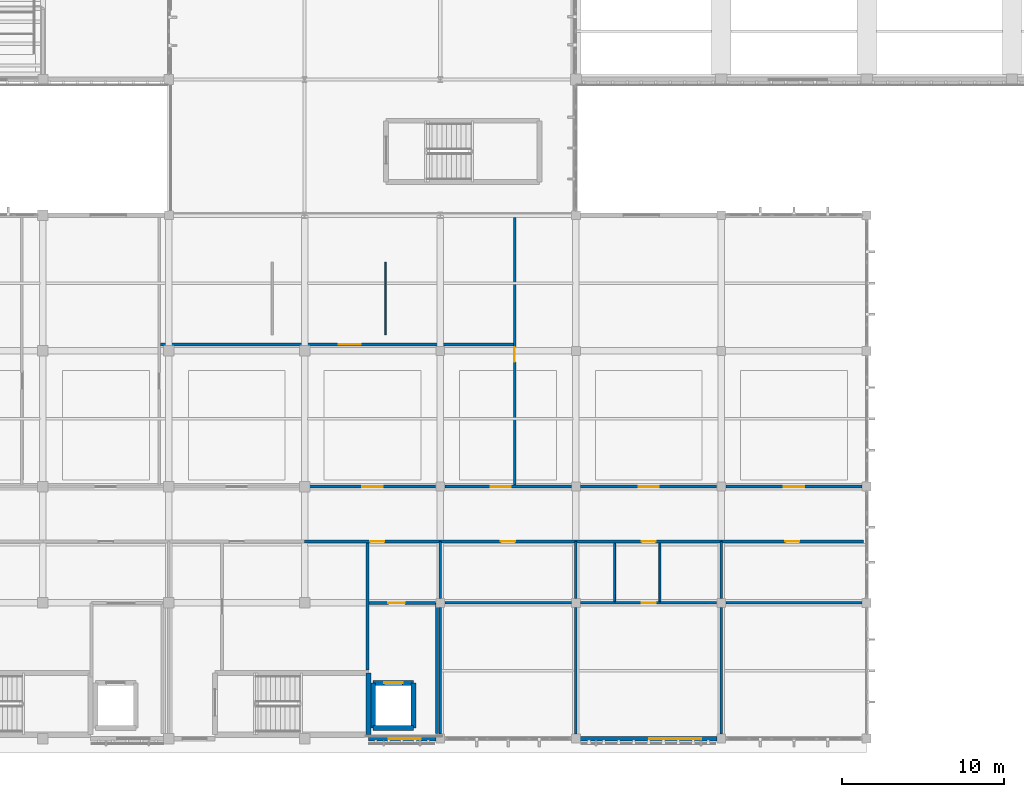
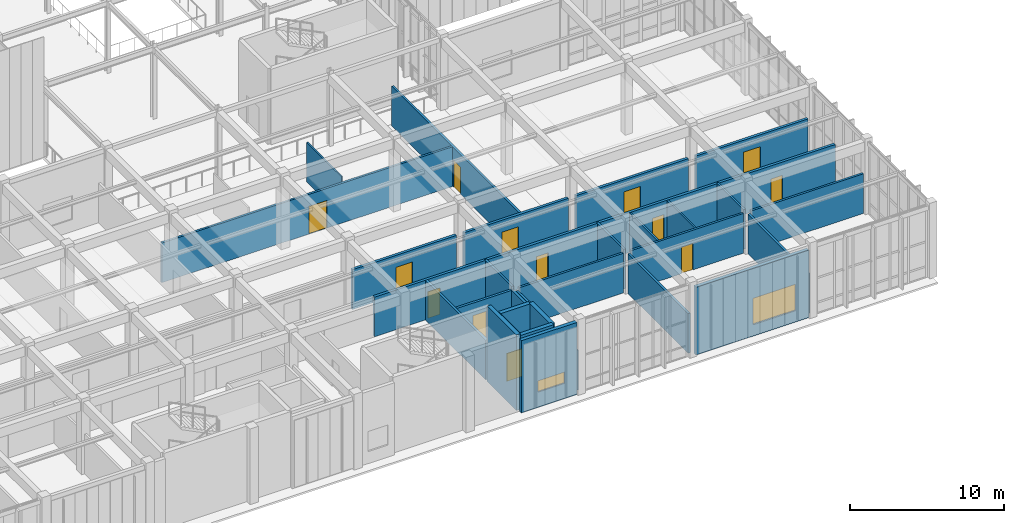
# One storey, part 73 of 105: 32 walls, 13 doors, 2 windows, 15 openings.
"""IFC4 building model written with IfcOpenShell, lengths in metres."""

import ifcopenshell
import ifcopenshell.guid

model = None  # the IFC model being written
_history = None  # IfcOwnerHistory: only IFC2X3 demands one
_inside = {}  # id of a spatial element -> (the spatial element, [elements in it])
_under = {}  # id of a project, library or spatial element -> (it, [spatial elements below it])
_declared = {}  # id of a project -> (the project, [libraries it declares])
_typed = {}  # id of a type object -> (the type object, [elements of that type])
_made_of = {}  # id of a material, layer set ... -> (it, [elements and type objects made of it])


def new_model(schema):
    """Start an empty IFC model of exactly this schema.

    Asked for "IFC4X3", IfcOpenShell would pick the latest addendum, in which some entities
    have other attributes; the version numbers below select the first issue.
    IFC2X3 requires an IfcOwnerHistory on every rooted entity: one is made here for all.
    """
    global model, _history
    if schema == "IFC4X3":
        model = ifcopenshell.file(schema_version=(4, 3, 0, 0))
    else:
        model = ifcopenshell.file(schema=schema)
    _inside.clear()
    _under.clear()
    _declared.clear()
    _typed.clear()
    _made_of.clear()
    _history = None
    if model.schema == "IFC2X3":
        org = make("IfcOrganization", Name="unknown")
        user = make(
            "IfcPersonAndOrganization",
            ThePerson=make("IfcPerson", FamilyName="unknown"),
            TheOrganization=org,
        )
        app = make(
            "IfcApplication",
            ApplicationDeveloper=org,
            Version="unknown",
            ApplicationFullName="unknown",
            ApplicationIdentifier="unknown",
        )
        _history = make(
            "IfcOwnerHistory",
            OwningUser=user,
            OwningApplication=app,
            ChangeAction="ADDED",
            CreationDate=0,
        )
    return model


def make(cls, **values):
    """One entity of the class cls with the attributes given. An attribute that is None is left unset."""
    return model.create_entity(
        cls, **{name: value for name, value in values.items() if value is not None}
    )


def rooted(cls, **values):
    """An entity with a GlobalId (a new one), such as an element, a storey or a relation."""
    return make(cls, GlobalId=ifcopenshell.guid.new(), OwnerHistory=_history, **values)


def si_unit(unit_type, name, prefix=None):
    """IfcSIUnit, for example si_unit("LENGTHUNIT", "METRE", prefix="MILLI")."""
    return make("IfcSIUnit", UnitType=unit_type, Prefix=prefix, Name=name)


def assignment(units):
    """IfcUnitAssignment: the units of a project."""
    return None if units is None else make("IfcUnitAssignment", Units=units)


def point(xyz):
    """IfcCartesianPoint."""
    return None if xyz is None else make("IfcCartesianPoint", Coordinates=xyz)


def direction(xyz):
    """IfcDirection."""
    return None if xyz is None else make("IfcDirection", DirectionRatios=xyz)


def frame(location, z_axis=None, x_axis=None):
    """IfcAxis2Placement3D, a coordinate frame: its origin and axes. An axis left out is left unset."""
    return make(
        "IfcAxis2Placement3D",
        Location=point(location),
        Axis=direction(z_axis),
        RefDirection=direction(x_axis),
    )


def frame_2d(location, x_axis=None):
    """IfcAxis2Placement2D, a coordinate frame in the plane: its origin and x axis."""
    return make(
        "IfcAxis2Placement2D", Location=point(location), RefDirection=direction(x_axis)
    )


def origin():
    """The frame at (0, 0, 0) with its axes left unset."""
    return frame((0.0, 0.0, 0.0))


def place(relative_to, where):
    """IfcLocalPlacement: puts the frame where relative to a parent placement (None: the world)."""
    return make(
        "IfcLocalPlacement", PlacementRelTo=relative_to, RelativePlacement=where
    )


def context(
    kind, dimensions, precision=None, world=None, true_north=None, identifier=None
):
    """IfcGeometricRepresentationContext, for example the 3D "Model" context."""
    return make(
        "IfcGeometricRepresentationContext",
        ContextIdentifier=identifier,
        ContextType=kind,
        CoordinateSpaceDimension=dimensions,
        Precision=precision,
        WorldCoordinateSystem=world,
        TrueNorth=true_north,
    )


def subcontext(parent, identifier, kind, view, scale=None):
    """IfcGeometricRepresentationSubContext, for example "Body" below "Model"."""
    return make(
        "IfcGeometricRepresentationSubContext",
        ContextIdentifier=identifier,
        ContextType=kind,
        ParentContext=parent,
        TargetScale=scale,
        TargetView=view,
    )


def project(units=None, contexts=None):
    """IfcProject with its units and contexts."""
    return rooted(
        "IfcProject",
        Name="project",
        RepresentationContexts=contexts,
        UnitsInContext=assignment(units),
    )


def spatial(cls, under=None, at=None, **own):
    """A site, building, storey or space (cls), placed at a placement, below another one or the project."""
    s = rooted(cls, ObjectPlacement=at, **own)
    if under is not None:
        _under.setdefault(under.id(), (under, []))[1].append(s)
    return s


def profile(cls, at=None, kind="AREA", **sizes):
    """A parametric profile (cls). Its sizes go by their IFC names, for example OverallWidth=200.0."""
    return make(cls, ProfileType=kind, Position=at, **sizes)


def rectangle(**sizes):
    """IfcRectangleProfileDef."""
    return profile("IfcRectangleProfileDef", **sizes)


def extrude(swept, where, along, depth):
    """IfcExtrudedAreaSolid: the profile swept, set in the frame where, extruded along a direction by depth."""
    return make(
        "IfcExtrudedAreaSolid",
        SweptArea=swept,
        Position=where,
        ExtrudedDirection=direction(along),
        Depth=depth,
    )


def shape(context_of_items, identifier, shape_type, items):
    """IfcShapeRepresentation: the items that make up one representation, for example the "Body"."""
    return make(
        "IfcShapeRepresentation",
        ContextOfItems=context_of_items,
        RepresentationIdentifier=identifier,
        RepresentationType=shape_type,
        Items=items,
    )


def material(Name=None, Category=None):
    """IfcMaterial."""
    return make("IfcMaterial", Name=Name, Category=Category)


def layer(
    of_material, thickness, ventilated=None, Name=None, Category=None, Priority=None
):
    """IfcMaterialLayer: one layer of a wall or slab, of a material (None: an air gap)."""
    return make(
        "IfcMaterialLayer",
        Material=of_material,
        LayerThickness=thickness,
        IsVentilated=ventilated,
        Name=Name,
        Category=Category,
        Priority=Priority,
    )


def layer_set(layers, Name=None):
    """IfcMaterialLayerSet."""
    return make("IfcMaterialLayerSet", MaterialLayers=layers, LayerSetName=Name)


def made_of(thing, what):
    """Note that an element or type object is made of a material, layer set ...; save() writes the relation."""
    if what is not None:
        _made_of.setdefault(what.id(), (what, []))[1].append(thing)
    return thing


def type_object(cls, material=None, **own):
    """A type object (cls), such as IfcWallType, which elements share."""
    return made_of(rooted(cls, **own), material)


def element(
    cls,
    number,
    at=None,
    inside=None,
    cuts=None,
    type_object=None,
    material=None,
    context=None,
    identifier="Body",
    shape_type=None,
    held_by="IfcProductDefinitionShape",
    body=None,
    shapes=None,
    **own,
):
    """One element of the class cls, such as IfcWall. Its Tag is "e" and its number.

    at: its placement. inside: the storey or other place that contains it. cuts: it is an
    opening in that element (IfcRelVoidsElement). A single representation is given by context,
    identifier, shape_type and body (its items); several are given by shapes. held_by: the class
    of the entity that holds the representations. save() writes the other relations.
    """
    e = rooted(cls, Tag="e%d" % number, ObjectPlacement=at, **own)
    if body is not None:
        shapes = [shape(context, identifier, shape_type, body)]
    if shapes is not None:
        e.Representation = make(held_by, Representations=shapes)
    if inside is not None:
        _inside.setdefault(inside.id(), (inside, []))[1].append(e)
    if cuts is not None:
        rooted(
            "IfcRelVoidsElement", RelatingBuildingElement=cuts, RelatedOpeningElement=e
        )
    if type_object is not None:
        _typed.setdefault(type_object.id(), (type_object, []))[1].append(e)
    return made_of(e, material)


def fill(opening, filler):
    """IfcRelFillsElement: the door or window that sits in an opening."""
    return rooted(
        "IfcRelFillsElement",
        RelatingOpeningElement=opening,
        RelatedBuildingElement=filler,
    )


def aggregate(whole, parts):
    """IfcRelAggregates: a whole, such as a stair, and the parts it consists of."""
    return rooted("IfcRelAggregates", RelatingObject=whole, RelatedObjects=parts)


def save(model, path):
    """Write the relations noted so far, then the file.

    IfcRelAggregates (storeys below a building ...), IfcRelContainedInSpatialStructure (elements
    in a storey), IfcRelDefinesByType, IfcRelAssociatesMaterial and IfcRelDeclares: one each for
    every whole, place, type object, material and project.
    """
    for whole, parts in _under.values():
        aggregate(whole, parts)
    for where, things in _inside.values():
        rooted(
            "IfcRelContainedInSpatialStructure",
            RelatedElements=things,
            RelatingStructure=where,
        )
    for kind, things in _typed.values():
        rooted("IfcRelDefinesByType", RelatedObjects=things, RelatingType=kind)
    for what, things in _made_of.values():
        rooted("IfcRelAssociatesMaterial", RelatedObjects=things, RelatingMaterial=what)
    for by, libraries in _declared.values():
        rooted("IfcRelDeclares", RelatingContext=by, RelatedDefinitions=libraries)
    model.write(path)


model = new_model("IFC4")

# Units and contexts
model_context = context("Model", 3, precision=1e-05, world=origin(), true_north=direction((0.0, 1.0)))
body_context = subcontext(model_context, "Body", "Model", "MODEL_VIEW")
ifc_project = project(units=[si_unit("LENGTHUNIT", "METRE"), si_unit("AREAUNIT", "SQUARE_METRE"), si_unit("VOLUMEUNIT", "CUBIC_METRE"), si_unit("PLANEANGLEUNIT", "RADIAN"), si_unit("MASSUNIT", "GRAM", prefix="KILO")], contexts=[model_context])

# Site, building, storey
site_placement = place(None, origin())
site = spatial("IfcSite", under=ifc_project, at=site_placement, CompositionType="ELEMENT")
building_placement = place(site_placement, origin())
building = spatial("IfcBuilding", under=site, at=building_placement, Name="Tizgana Railside Sports Hall", CompositionType="ELEMENT")
storey_placement = place(building_placement, frame((0.0, 0.0, 6.0)))
storey = spatial("IfcBuildingStorey", under=building, at=storey_placement, Name="L01", CompositionType="ELEMENT", Elevation=6.0)

# Wall, opening, door
ifc_material_1 = material(Name="Acoustic gypsum stud")
ifc_layer_1 = layer(ifc_material_1, 0.159912109375, Name="Acoustic gypsum stud")
ifc_layer_set_1 = layer_set([ifc_layer_1], Name="Acoustic gypsum stud")
wall_type_1 = type_object("IfcWallType", Name="Clinic Acoustic Partition 160", PredefinedType="STANDARD", material=ifc_layer_set_1)
wall_1_placement = place(storey_placement, frame((76.0, 15.60009765625, 0.0), z_axis=(0.0, 0.0, 1.0), x_axis=(0.0, 1.0, 0.0)))
wall_1 = element("IfcWall", 1, at=wall_1_placement, inside=storey, type_object=wall_type_1, Name="L01 Partition PWAL-0079", PredefinedType="STANDARD", context=body_context, shape_type="SweptSolid", body=[
    extrude(rectangle(XDim=16.64990234375, YDim=0.159912109375, at=frame_2d((8.324951171875, 0.0))), origin(), (0.0, 0.0, 1.0), 3.14990234375),
])
opening_1_placement = place(wall_1_placement, frame((7.715087890625, 0.0, 0.0)))
opening_1 = element("IfcOpeningElement", 2, at=opening_1_placement, cuts=wall_1, Name="Opening D-0159", PredefinedType="OPENING", context=body_context, shape_type="SweptSolid", body=[
    extrude(rectangle(XDim=0.919921875, YDim=2.14990234375, at=frame_2d((0.4599609375, 1.074951171875))), frame((0.0, 0.08984375, 0.0), z_axis=(0.0, -1.0, 0.0), x_axis=(1.0, 0.0, 0.0)), (0.0, 0.0, 1.0), 0.179931640625),
])
ifc_material_2 = material(Name="Solid beech timber", Category="wood")
door_type_1 = type_object("IfcDoorType", Name="Consultation & Coaching Door 920x2150", OperationType="NOTDEFINED", PredefinedType="DOOR", material=ifc_material_2)
door_1_placement = place(opening_1_placement, origin())
door_1 = element("IfcDoor", 3, at=door_1_placement, inside=storey, type_object=door_type_1, Name="L01 Door D-0159", OperationType="SINGLE_SWING_LEFT", OverallHeight=2.14990234375, OverallWidth=0.919921875, PredefinedType="DOOR", context=body_context, shape_type="SweptSolid", body=[
    extrude(rectangle(XDim=0.919921875, YDim=2.14990234375, at=frame_2d((0.4599609375, 1.074951171875))), frame((0.0, 0.02490234375, 0.0), z_axis=(0.0, -1.0, 0.0), x_axis=(1.0, 0.0, 0.0)), (0.0, 0.0, 1.0), 0.050048828125),
])
fill(opening_1, door_1)

# Walls
wall_2_placement = place(storey_placement, frame((71.39990234375, 0.284912109375, 0.0), z_axis=(0.0, 0.0, 1.0), x_axis=(0.0, 1.0, 0.0)))
element("IfcWall", 4, at=wall_2_placement, inside=storey, type_object=wall_type_1, Name="L01 Partition PWAL-0088", PredefinedType="STANDARD", context=body_context, shape_type="SweptSolid", body=[
    extrude(rectangle(XDim=7.830078125, YDim=0.159912109375, at=frame_2d((3.9150390625, 0.0))), origin(), (0.0, 0.0, 1.0), 3.14990234375),
])
wall_3_placement = place(storey_placement, frame((71.39990234375, 8.68505859375, 0.0), z_axis=(0.0, 0.0, 1.0), x_axis=(0.0, 1.0, 0.0)))
element("IfcWall", 5, at=wall_3_placement, inside=storey, type_object=wall_type_1, Name="L01 Partition PWAL-0089", PredefinedType="STANDARD", context=body_context, shape_type="SweptSolid", body=[
    extrude(rectangle(XDim=3.514892578125, YDim=0.159912109375, at=frame_2d((1.75732421875, 0.0))), origin(), (0.0, 0.0, 1.0), 3.14990234375),
])
wall_4_placement = place(storey_placement, frame((79.800048828125, 0.284912109375, 0.0), z_axis=(0.0, 0.0, 1.0), x_axis=(0.0, 1.0, 0.0)))
element("IfcWall", 6, at=wall_4_placement, inside=storey, type_object=wall_type_1, Name="L01 Partition PWAL-0090", PredefinedType="STANDARD", context=body_context, shape_type="SweptSolid", body=[
    extrude(rectangle(XDim=7.830078125, YDim=0.159912109375, at=frame_2d((3.9150390625, 0.0))), origin(), (0.0, 0.0, 1.0), 3.14990234375),
])
wall_5_placement = place(storey_placement, frame((79.800048828125, 8.68505859375, 0.0), z_axis=(0.0, 0.0, 1.0), x_axis=(0.0, 1.0, 0.0)))
element("IfcWall", 7, at=wall_5_placement, inside=storey, type_object=wall_type_1, Name="L01 Partition PWAL-0091", PredefinedType="STANDARD", context=body_context, shape_type="SweptSolid", body=[
    extrude(rectangle(XDim=3.514892578125, YDim=0.159912109375, at=frame_2d((1.75732421875, 0.0))), origin(), (0.0, 0.0, 1.0), 3.14990234375),
])
wall_6_placement = place(storey_placement, frame((88.800048828125, 0.284912109375, 0.0), z_axis=(0.0, 0.0, 1.0), x_axis=(0.0, 1.0, 0.0)))
element("IfcWall", 8, at=wall_6_placement, inside=storey, type_object=wall_type_1, Name="L01 Partition PWAL-0092", PredefinedType="STANDARD", context=body_context, shape_type="SweptSolid", body=[
    extrude(rectangle(XDim=7.830078125, YDim=0.159912109375, at=frame_2d((3.9150390625, 0.0))), origin(), (0.0, 0.0, 1.0), 3.14990234375),
])
wall_7_placement = place(storey_placement, frame((88.800048828125, 8.68505859375, 0.0), z_axis=(0.0, 0.0, 1.0), x_axis=(0.0, 1.0, 0.0)))
element("IfcWall", 9, at=wall_7_placement, inside=storey, type_object=wall_type_1, Name="L01 Partition PWAL-0093", PredefinedType="STANDARD", context=body_context, shape_type="SweptSolid", body=[
    extrude(rectangle(XDim=3.514892578125, YDim=0.159912109375, at=frame_2d((1.75732421875, 0.0))), origin(), (0.0, 0.0, 1.0), 3.14990234375),
])
wall_8_placement = place(storey_placement, frame((71.68505859375, 8.39990234375, 0.0), z_axis=(0.0, 0.0, 1.0), x_axis=(1.0, 0.0, 0.0)))
element("IfcWall", 10, at=wall_8_placement, inside=storey, type_object=wall_type_1, Name="L01 Partition PWAL-0094", PredefinedType="STANDARD", context=body_context, shape_type="SweptSolid", body=[
    extrude(rectangle(XDim=7.829833984375, YDim=0.159912109375, at=frame_2d((3.9150390625, 0.0))), origin(), (0.0, 0.0, 1.0), 3.14990234375),
])

# Wall, opening, door
wall_9_placement = place(storey_placement, frame((80.0849609375, 8.39990234375, 0.0), z_axis=(0.0, 0.0, 1.0), x_axis=(1.0, 0.0, 0.0)))
wall_9 = element("IfcWall", 11, at=wall_9_placement, inside=storey, type_object=wall_type_1, Name="L01 Partition PWAL-0095", PredefinedType="STANDARD", context=body_context, shape_type="SweptSolid", body=[
    extrude(rectangle(XDim=8.429931640625, YDim=0.159912109375, at=frame_2d((4.21484375, 0.0))), origin(), (0.0, 0.0, 1.0), 3.14990234375),
])
opening_2_placement = place(wall_9_placement, frame((3.784912109375, 0.0, 0.0)))
opening_2 = element("IfcOpeningElement", 12, at=opening_2_placement, cuts=wall_9, Name="Opening D-0160", PredefinedType="OPENING", context=body_context, shape_type="SweptSolid", body=[
    extrude(rectangle(XDim=0.860107421875, YDim=2.10009765625, at=frame_2d((0.43017578125, 1.050048828125))), frame((0.0, 0.08984375, 0.0), z_axis=(0.0, -1.0, 0.0), x_axis=(1.0, 0.0, 0.0)), (0.0, 0.0, 1.0), 0.179931640625),
])
door_type_2 = type_object("IfcDoorType", Name="Cleaner & Store Room Door 860x2100", OperationType="NOTDEFINED", PredefinedType="DOOR", material=ifc_material_2)
door_2_placement = place(opening_2_placement, origin())
door_2 = element("IfcDoor", 13, at=door_2_placement, inside=storey, type_object=door_type_2, Name="L01 Door D-0160", OperationType="SINGLE_SWING_RIGHT", OverallHeight=2.10009765625, OverallWidth=0.860107421875, PredefinedType="DOOR", context=body_context, shape_type="SweptSolid", body=[
    extrude(rectangle(XDim=0.860107421875, YDim=2.10009765625, at=frame_2d((0.43017578125, 1.050048828125))), frame((0.0, 0.02490234375, 0.0), z_axis=(0.0, -1.0, 0.0), x_axis=(1.0, 0.0, 0.0)), (0.0, 0.0, 1.0), 0.050048828125),
])
fill(opening_2, door_2)

# Wall
wall_10_placement = place(storey_placement, frame((89.0849609375, 8.39990234375, 0.0), z_axis=(0.0, 0.0, 1.0), x_axis=(1.0, 0.0, 0.0)))
element("IfcWall", 14, at=wall_10_placement, inside=storey, type_object=wall_type_1, Name="L01 Partition PWAL-0096", PredefinedType="STANDARD", context=body_context, shape_type="SweptSolid", body=[
    extrude(rectangle(XDim=8.429931640625, YDim=0.159912109375, at=frame_2d((4.21484375, 0.0))), origin(), (0.0, 0.0, 1.0), 3.14990234375),
])

# Wall, opening, door
wall_11_placement = place(storey_placement, frame((54.0849609375, 24.39990234375, 0.0), z_axis=(0.0, 0.0, 1.0), x_axis=(1.0, 0.0, 0.0)))
wall_11 = element("IfcWall", 15, at=wall_11_placement, inside=storey, type_object=wall_type_1, Name="L01 Partition PWAL-0338", PredefinedType="STANDARD", context=body_context, shape_type="SweptSolid", body=[
    extrude(rectangle(XDim=21.9150390625, YDim=0.159912109375, at=frame_2d((10.95751953125, 0.0))), origin(), (0.0, 0.0, 1.0), 3.14990234375),
])
opening_3_placement = place(wall_11_placement, frame((11.0400390625, 0.0, 0.0)))
opening_3 = element("IfcOpeningElement", 16, at=opening_3_placement, cuts=wall_11, Name="Opening D-0303", PredefinedType="OPENING", context=body_context, shape_type="SweptSolid", body=[
    extrude(rectangle(XDim=1.35009765625, YDim=2.199951171875, at=frame_2d((0.675048828125, 1.10009765625))), frame((0.0, 0.08984375, 0.0), z_axis=(0.0, -1.0, 0.0), x_axis=(1.0, 0.0, 0.0)), (0.0, 0.0, 1.0), 0.179931640625),
])
door_type_3 = type_object("IfcDoorType", Name="Medical Imaging Door 1350x2200", OperationType="NOTDEFINED", PredefinedType="DOOR", material=ifc_material_2)
door_3_placement = place(opening_3_placement, origin())
door_3 = element("IfcDoor", 17, at=door_3_placement, inside=storey, type_object=door_type_3, Name="L01 Door D-0303", OperationType="SINGLE_SWING_LEFT", OverallHeight=2.199951171875, OverallWidth=1.35009765625, PredefinedType="DOOR", context=body_context, shape_type="SweptSolid", body=[
    extrude(rectangle(XDim=1.35009765625, YDim=2.199951171875, at=frame_2d((0.675048828125, 1.10009765625))), frame((0.0, 0.02490234375, 0.0), z_axis=(0.0, -1.0, 0.0), x_axis=(1.0, 0.0, 0.0)), (0.0, 0.0, 1.0), 0.050048828125),
])
fill(opening_3, door_3)

# Walls
ifc_material_3 = material(Name="Concrete C40/50", Category="concrete")
ifc_layer_2 = layer(ifc_material_3, 0.300048828125, Name="Concrete C40/50")
ifc_layer_set_2 = layer_set([ifc_layer_2], Name="Concrete C40/50")
wall_type_2 = type_object("IfcWallType", Name="Core Shear Wall 300", PredefinedType="SHEAR", material=ifc_layer_set_2)
wall_12_placement = place(storey_placement, frame((66.949951171875, 0.25, 0.0), z_axis=(0.0, 0.0, 1.0), x_axis=(0.0, 1.0, 0.0)))
element("IfcWall", 18, at=wall_12_placement, inside=storey, type_object=wall_type_2, Name="L01 C3 Shaft Wall E", PredefinedType="SHEAR", context=body_context, shape_type="SweptSolid", body=[
    extrude(rectangle(XDim=3.800048828125, YDim=0.300048828125, at=frame_2d((1.89990234375, 0.0))), origin(), (0.0, 0.0, 1.0), 6.0),
])
wall_13_placement = place(storey_placement, frame((67.25, 0.64990234375, 0.0), z_axis=(0.0, 0.0, 1.0), x_axis=(1.0, 0.0, 0.0)))
element("IfcWall", 19, at=wall_13_placement, inside=storey, type_object=wall_type_2, Name="L01 LP-02 Shaft Wall S", PredefinedType="SHEAR", context=body_context, shape_type="SweptSolid", body=[
    extrude(rectangle(XDim=2.5, YDim=0.300048828125, at=frame_2d((1.25, 0.0))), origin(), (0.0, 0.0, 1.0), 5.639892578125),
])

# Wall, opening, door
wall_14_placement = place(storey_placement, frame((67.25, 3.449951171875, 0.0), z_axis=(0.0, 0.0, 1.0), x_axis=(1.0, 0.0, 0.0)))
wall_14 = element("IfcWall", 20, at=wall_14_placement, inside=storey, type_object=wall_type_2, Name="L01 LP-02 Shaft Wall N", PredefinedType="SHEAR", context=body_context, shape_type="SweptSolid", body=[
    extrude(rectangle(XDim=2.5, YDim=0.300048828125, at=frame_2d((1.25, 0.0))), origin(), (0.0, 0.0, 1.0), 5.639892578125),
])
opening_4_placement = place(wall_14_placement, frame((0.675048828125, 0.0, 0.0)))
opening_4 = element("IfcOpeningElement", 21, at=opening_4_placement, cuts=wall_14, Name="Opening D-0068", PredefinedType="OPENING", context=body_context, shape_type="SweptSolid", body=[
    extrude(rectangle(XDim=1.14990234375, YDim=2.199951171875, at=frame_2d((0.574951171875, 1.10009765625))), frame((0.0, 0.159912109375, 0.0), z_axis=(0.0, -1.0, 0.0), x_axis=(1.0, 0.0, 0.0)), (0.0, 0.0, 1.0), 0.320068359375),
])
ifc_material_4 = material(Name="Brushed stainless steel", Category="steel")
door_type_4 = type_object("IfcDoorType", Name="Passenger Lift Sliding Door 1150x2200", OperationType="NOTDEFINED", PredefinedType="DOOR", material=ifc_material_4)
door_4_placement = place(opening_4_placement, origin())
door_4 = element("IfcDoor", 22, at=door_4_placement, inside=storey, type_object=door_type_4, Name="L01 Door D-0068", OperationType="DOUBLE_DOOR_SLIDING", OverallHeight=2.199951171875, OverallWidth=1.14990234375, PredefinedType="DOOR", context=body_context, shape_type="SweptSolid", body=[
    extrude(rectangle(XDim=1.14990234375, YDim=2.199951171875, at=frame_2d((0.574951171875, 1.10009765625))), frame((0.0, 0.02490234375, 0.0), z_axis=(0.0, -1.0, 0.0), x_axis=(1.0, 0.0, 0.0)), (0.0, 0.0, 1.0), 0.050048828125),
])
fill(opening_4, door_4)

# Walls
for number, where, z_axis, x_axis, name in (
    (23, (67.25, 0.64990234375, 0.0), (0.0, 0.0, 1.0), (0.0, 1.0, 0.0), "L01 LP-02 Shaft Wall W"),
    (24, (69.75, 0.64990234375, 0.0), (0.0, 0.0, 1.0), (0.0, 1.0, 0.0), "L01 LP-02 Shaft Wall E"),
):
    element("IfcWall", number, at=place(storey_placement, frame(where, z_axis=z_axis, x_axis=x_axis)), inside=storey, type_object=wall_type_2, Name=name, PredefinedType="SHEAR", context=body_context, shape_type="SweptSolid", body=[
        extrude(rectangle(XDim=2.800048828125, YDim=0.300048828125, at=frame_2d((1.39990234375, 0.0))), origin(), (0.0, 0.0, 1.0), 5.639892578125),
    ])

# Wall, opening, door
ifc_material_5 = material(Name="Masonry blockwork", Category="masonry")
ifc_layer_3 = layer(ifc_material_5, 0.199951171875, Name="Masonry blockwork")
ifc_layer_set_3 = layer_set([ifc_layer_3], Name="Masonry blockwork")
wall_type_3 = type_object("IfcWallType", Name="Corridor Compartment Partition 200", PredefinedType="STANDARD", material=ifc_layer_set_3)
wall_15_placement = place(storey_placement, frame((63.300048828125, 15.60009765625, 0.0), z_axis=(0.0, 0.0, 1.0), x_axis=(1.0, 0.0, 0.0)))
wall_15 = element("IfcWall", 25, at=wall_15_placement, inside=storey, type_object=wall_type_3, Name="L01 Partition PWAL-0067", PredefinedType="STANDARD", context=body_context, shape_type="SweptSolid", body=[
    extrude(rectangle(XDim=7.81494140625, YDim=0.199951171875, at=frame_2d((3.907470703125, 0.0))), origin(), (0.0, 0.0, 1.0), 3.14990234375),
])
opening_5_placement = place(wall_15_placement, frame((3.27490234375, 0.0, 0.0)))
opening_5 = element("IfcOpeningElement", 26, at=opening_5_placement, cuts=wall_15, Name="Opening D-0147", PredefinedType="OPENING", context=body_context, shape_type="SweptSolid", body=[
    extrude(rectangle(XDim=1.25, YDim=2.199951171875, at=frame_2d((0.625, 1.10009765625))), frame((0.0, 0.10986328125, 0.0), z_axis=(0.0, -1.0, 0.0), x_axis=(1.0, 0.0, 0.0)), (0.0, 0.0, 1.0), 0.219970703125),
])
door_type_5 = type_object("IfcDoorType", Name="Clinic Stretcher Leaf Door 1250x2200", OperationType="NOTDEFINED", PredefinedType="DOOR", material=ifc_material_2)
door_5_placement = place(opening_5_placement, origin())
door_5 = element("IfcDoor", 27, at=door_5_placement, inside=storey, type_object=door_type_5, Name="L01 Door D-0147", OperationType="SINGLE_SWING_LEFT", OverallHeight=2.199951171875, OverallWidth=1.25, PredefinedType="DOOR", context=body_context, shape_type="SweptSolid", body=[
    extrude(rectangle(XDim=1.25, YDim=2.199951171875, at=frame_2d((0.625, 1.10009765625))), frame((0.0, 0.02490234375, 0.0), z_axis=(0.0, -1.0, 0.0), x_axis=(1.0, 0.0, 0.0)), (0.0, 0.0, 1.0), 0.050048828125),
])
fill(opening_5, door_5)

wall_16_placement = place(storey_placement, frame((63.0, 12.199951171875, 0.0), z_axis=(0.0, 0.0, 1.0), x_axis=(1.0, 0.0, 0.0)))
wall_16 = element("IfcWall", 28, at=wall_16_placement, inside=storey, type_object=wall_type_3, Name="L01 Partition PWAL-0068", PredefinedType="STANDARD", context=body_context, shape_type="SweptSolid", body=[
    extrude(rectangle(XDim=8.39990234375, YDim=0.199951171875, at=frame_2d((4.199951171875, 0.0))), origin(), (0.0, 0.0, 1.0), 3.14990234375),
])
opening_6_placement = place(wall_16_placement, frame((4.06005859375, 0.0, 0.0)))
opening_6 = element("IfcOpeningElement", 29, at=opening_6_placement, cuts=wall_16, Name="Opening D-0148", PredefinedType="OPENING", context=body_context, shape_type="SweptSolid", body=[
    extrude(rectangle(XDim=0.8798828125, YDim=2.10009765625, at=frame_2d((0.43994140625, 1.050048828125))), frame((0.0, 0.10986328125, 0.0), z_axis=(0.0, -1.0, 0.0), x_axis=(1.0, 0.0, 0.0)), (0.0, 0.0, 1.0), 0.219970703125),
])
door_type_6 = type_object("IfcDoorType", Name="Public & Staff WC Door 880x2100", OperationType="NOTDEFINED", PredefinedType="DOOR", material=ifc_material_2)
door_6_placement = place(opening_6_placement, origin())
door_6 = element("IfcDoor", 30, at=door_6_placement, inside=storey, type_object=door_type_6, Name="L01 Door D-0148", OperationType="SINGLE_SWING_RIGHT", OverallHeight=2.10009765625, OverallWidth=0.8798828125, PredefinedType="DOOR", context=body_context, shape_type="SweptSolid", body=[
    extrude(rectangle(XDim=0.8798828125, YDim=2.10009765625, at=frame_2d((0.43994140625, 1.050048828125))), frame((0.0, 0.02490234375, 0.0), z_axis=(0.0, -1.0, 0.0), x_axis=(1.0, 0.0, 0.0)), (0.0, 0.0, 1.0), 0.050048828125),
])
fill(opening_6, door_6)

wall_17_placement = place(storey_placement, frame((71.68505859375, 15.60009765625, 0.0), z_axis=(0.0, 0.0, 1.0), x_axis=(1.0, 0.0, 0.0)))
wall_17 = element("IfcWall", 31, at=wall_17_placement, inside=storey, type_object=wall_type_3, Name="L01 Partition PWAL-0069", PredefinedType="STANDARD", context=body_context, shape_type="SweptSolid", body=[
    extrude(rectangle(XDim=7.829833984375, YDim=0.199951171875, at=frame_2d((3.9150390625, 0.0))), origin(), (0.0, 0.0, 1.0), 3.14990234375),
])
opening_7_placement = place(wall_17_placement, frame((2.840087890625, 0.0, 0.0)))
opening_7 = element("IfcOpeningElement", 32, at=opening_7_placement, cuts=wall_17, Name="Opening D-0149", PredefinedType="OPENING", context=body_context, shape_type="SweptSolid", body=[
    extrude(rectangle(XDim=1.25, YDim=2.199951171875, at=frame_2d((0.625, 1.10009765625))), frame((0.0, 0.10986328125, 0.0), z_axis=(0.0, -1.0, 0.0), x_axis=(1.0, 0.0, 0.0)), (0.0, 0.0, 1.0), 0.219970703125),
])
door_7_placement = place(opening_7_placement, origin())
door_7 = element("IfcDoor", 33, at=door_7_placement, inside=storey, type_object=door_type_5, Name="L01 Door D-0149", OperationType="SINGLE_SWING_LEFT", OverallHeight=2.199951171875, OverallWidth=1.25, PredefinedType="DOOR", context=body_context, shape_type="SweptSolid", body=[
    extrude(rectangle(XDim=1.25, YDim=2.199951171875, at=frame_2d((0.625, 1.10009765625))), frame((0.0, 0.02490234375, 0.0), z_axis=(0.0, -1.0, 0.0), x_axis=(1.0, 0.0, 0.0)), (0.0, 0.0, 1.0), 0.050048828125),
])
fill(opening_7, door_7)

wall_18_placement = place(storey_placement, frame((71.39990234375, 12.199951171875, 0.0), z_axis=(0.0, 0.0, 1.0), x_axis=(1.0, 0.0, 0.0)))
wall_18 = element("IfcWall", 34, at=wall_18_placement, inside=storey, type_object=wall_type_3, Name="L01 Partition PWAL-0070", PredefinedType="STANDARD", context=body_context, shape_type="SweptSolid", body=[
    extrude(rectangle(XDim=8.400146484375, YDim=0.199951171875, at=frame_2d((4.2001953125, 0.0))), origin(), (0.0, 0.0, 1.0), 3.14990234375),
])
opening_8_placement = place(wall_18_placement, frame((3.760009765625, 0.0, 0.0)))
opening_8 = element("IfcOpeningElement", 35, at=opening_8_placement, cuts=wall_18, Name="Opening D-0150", PredefinedType="OPENING", context=body_context, shape_type="SweptSolid", body=[
    extrude(rectangle(XDim=0.8798828125, YDim=2.10009765625, at=frame_2d((0.43994140625, 1.050048828125))), frame((0.0, 0.10986328125, 0.0), z_axis=(0.0, -1.0, 0.0), x_axis=(1.0, 0.0, 0.0)), (0.0, 0.0, 1.0), 0.219970703125),
])
door_8_placement = place(opening_8_placement, origin())
door_8 = element("IfcDoor", 36, at=door_8_placement, inside=storey, type_object=door_type_6, Name="L01 Door D-0150", OperationType="SINGLE_SWING_RIGHT", OverallHeight=2.10009765625, OverallWidth=0.8798828125, PredefinedType="DOOR", context=body_context, shape_type="SweptSolid", body=[
    extrude(rectangle(XDim=0.8798828125, YDim=2.10009765625, at=frame_2d((0.43994140625, 1.050048828125))), frame((0.0, 0.02490234375, 0.0), z_axis=(0.0, -1.0, 0.0), x_axis=(1.0, 0.0, 0.0)), (0.0, 0.0, 1.0), 0.050048828125),
])
fill(opening_8, door_8)

wall_19_placement = place(storey_placement, frame((80.0849609375, 15.60009765625, 0.0), z_axis=(0.0, 0.0, 1.0), x_axis=(1.0, 0.0, 0.0)))
wall_19 = element("IfcWall", 37, at=wall_19_placement, inside=storey, type_object=wall_type_3, Name="L01 Partition PWAL-0071", PredefinedType="STANDARD", context=body_context, shape_type="SweptSolid", body=[
    extrude(rectangle(XDim=8.429931640625, YDim=0.199951171875, at=frame_2d((4.21484375, 0.0))), origin(), (0.0, 0.0, 1.0), 3.14990234375),
])
opening_9_placement = place(wall_19_placement, frame((3.590087890625, 0.0, 0.0)))
opening_9 = element("IfcOpeningElement", 38, at=opening_9_placement, cuts=wall_19, Name="Opening D-0151", PredefinedType="OPENING", context=body_context, shape_type="SweptSolid", body=[
    extrude(rectangle(XDim=1.25, YDim=2.199951171875, at=frame_2d((0.625, 1.10009765625))), frame((0.0, 0.10986328125, 0.0), z_axis=(0.0, -1.0, 0.0), x_axis=(1.0, 0.0, 0.0)), (0.0, 0.0, 1.0), 0.219970703125),
])
door_9_placement = place(opening_9_placement, origin())
door_9 = element("IfcDoor", 39, at=door_9_placement, inside=storey, type_object=door_type_5, Name="L01 Door D-0151", OperationType="SINGLE_SWING_LEFT", OverallHeight=2.199951171875, OverallWidth=1.25, PredefinedType="DOOR", context=body_context, shape_type="SweptSolid", body=[
    extrude(rectangle(XDim=1.25, YDim=2.199951171875, at=frame_2d((0.625, 1.10009765625))), frame((0.0, 0.02490234375, 0.0), z_axis=(0.0, -1.0, 0.0), x_axis=(1.0, 0.0, 0.0)), (0.0, 0.0, 1.0), 0.050048828125),
])
fill(opening_9, door_9)

wall_20_placement = place(storey_placement, frame((79.800048828125, 12.199951171875, 0.0), z_axis=(0.0, 0.0, 1.0), x_axis=(1.0, 0.0, 0.0)))
wall_20 = element("IfcWall", 40, at=wall_20_placement, inside=storey, type_object=wall_type_3, Name="L01 Partition PWAL-0072", PredefinedType="STANDARD", context=body_context, shape_type="SweptSolid", body=[
    extrude(rectangle(XDim=9.0, YDim=0.199951171875, at=frame_2d((4.5, 0.0))), origin(), (0.0, 0.0, 1.0), 3.14990234375),
])
opening_10_placement = place(wall_20_placement, frame((4.06005859375, 0.0, 0.0)))
opening_10 = element("IfcOpeningElement", 41, at=opening_10_placement, cuts=wall_20, Name="Opening D-0152", PredefinedType="OPENING", context=body_context, shape_type="SweptSolid", body=[
    extrude(rectangle(XDim=0.8798828125, YDim=2.10009765625, at=frame_2d((0.43994140625, 1.050048828125))), frame((0.0, 0.10986328125, 0.0), z_axis=(0.0, -1.0, 0.0), x_axis=(1.0, 0.0, 0.0)), (0.0, 0.0, 1.0), 0.219970703125),
])
door_10_placement = place(opening_10_placement, origin())
door_10 = element("IfcDoor", 42, at=door_10_placement, inside=storey, type_object=door_type_6, Name="L01 Door D-0152", OperationType="SINGLE_SWING_RIGHT", OverallHeight=2.10009765625, OverallWidth=0.8798828125, PredefinedType="DOOR", context=body_context, shape_type="SweptSolid", body=[
    extrude(rectangle(XDim=0.8798828125, YDim=2.10009765625, at=frame_2d((0.43994140625, 1.050048828125))), frame((0.0, 0.02490234375, 0.0), z_axis=(0.0, -1.0, 0.0), x_axis=(1.0, 0.0, 0.0)), (0.0, 0.0, 1.0), 0.050048828125),
])
fill(opening_10, door_10)

wall_21_placement = place(storey_placement, frame((89.0849609375, 15.60009765625, 0.0), z_axis=(0.0, 0.0, 1.0), x_axis=(1.0, 0.0, 0.0)))
wall_21 = element("IfcWall", 43, at=wall_21_placement, inside=storey, type_object=wall_type_3, Name="L01 Partition PWAL-0073", PredefinedType="STANDARD", context=body_context, shape_type="SweptSolid", body=[
    extrude(rectangle(XDim=8.429931640625, YDim=0.199951171875, at=frame_2d((4.21484375, 0.0))), origin(), (0.0, 0.0, 1.0), 3.14990234375),
])
opening_11_placement = place(wall_21_placement, frame((3.590087890625, 0.0, 0.0)))
opening_11 = element("IfcOpeningElement", 44, at=opening_11_placement, cuts=wall_21, Name="Opening D-0153", PredefinedType="OPENING", context=body_context, shape_type="SweptSolid", body=[
    extrude(rectangle(XDim=1.25, YDim=2.199951171875, at=frame_2d((0.625, 1.10009765625))), frame((0.0, 0.10986328125, 0.0), z_axis=(0.0, -1.0, 0.0), x_axis=(1.0, 0.0, 0.0)), (0.0, 0.0, 1.0), 0.219970703125),
])
door_11_placement = place(opening_11_placement, origin())
door_11 = element("IfcDoor", 45, at=door_11_placement, inside=storey, type_object=door_type_5, Name="L01 Door D-0153", OperationType="SINGLE_SWING_LEFT", OverallHeight=2.199951171875, OverallWidth=1.25, PredefinedType="DOOR", context=body_context, shape_type="SweptSolid", body=[
    extrude(rectangle(XDim=1.25, YDim=2.199951171875, at=frame_2d((0.625, 1.10009765625))), frame((0.0, 0.02490234375, 0.0), z_axis=(0.0, -1.0, 0.0), x_axis=(1.0, 0.0, 0.0)), (0.0, 0.0, 1.0), 0.050048828125),
])
fill(opening_11, door_11)

wall_22_placement = place(storey_placement, frame((88.800048828125, 12.199951171875, 0.0), z_axis=(0.0, 0.0, 1.0), x_axis=(1.0, 0.0, 0.0)))
wall_22 = element("IfcWall", 46, at=wall_22_placement, inside=storey, type_object=wall_type_3, Name="L01 Partition PWAL-0074", PredefinedType="STANDARD", context=body_context, shape_type="SweptSolid", body=[
    extrude(rectangle(XDim=8.800048828125, YDim=0.199951171875, at=frame_2d((4.39990234375, 0.0))), origin(), (0.0, 0.0, 1.0), 3.14990234375),
])
opening_12_placement = place(wall_22_placement, frame((3.9599609375, 0.0, 0.0)))
opening_12 = element("IfcOpeningElement", 47, at=opening_12_placement, cuts=wall_22, Name="Opening D-0154", PredefinedType="OPENING", context=body_context, shape_type="SweptSolid", body=[
    extrude(rectangle(XDim=0.8798828125, YDim=2.10009765625, at=frame_2d((0.43994140625, 1.050048828125))), frame((0.0, 0.10986328125, 0.0), z_axis=(0.0, -1.0, 0.0), x_axis=(1.0, 0.0, 0.0)), (0.0, 0.0, 1.0), 0.219970703125),
])
door_12_placement = place(opening_12_placement, origin())
door_12 = element("IfcDoor", 48, at=door_12_placement, inside=storey, type_object=door_type_6, Name="L01 Door D-0154", OperationType="SINGLE_SWING_RIGHT", OverallHeight=2.10009765625, OverallWidth=0.8798828125, PredefinedType="DOOR", context=body_context, shape_type="SweptSolid", body=[
    extrude(rectangle(XDim=0.8798828125, YDim=2.10009765625, at=frame_2d((0.43994140625, 1.050048828125))), frame((0.0, 0.02490234375, 0.0), z_axis=(0.0, -1.0, 0.0), x_axis=(1.0, 0.0, 0.0)), (0.0, 0.0, 1.0), 0.050048828125),
])
fill(opening_12, door_12)

# Wall, opening, window
ifc_material_6 = material(Name="Precast concrete C40/50", Category="concrete")
ifc_layer_4 = layer(ifc_material_6, 0.27001953125, Name="Precast concrete C40/50")
ifc_layer_set_4 = layer_set([ifc_layer_4], Name="Precast concrete C40/50")
wall_type_4 = type_object("IfcWallType", Name="Exterior Studio Facade Wall 270", PredefinedType="STANDARD", material=ifc_layer_set_4)
wall_23_placement = place(storey_placement, frame((71.135009765625, 0.0, 0.0), z_axis=(0.0, 0.0, 1.0), x_axis=(-1.0, 0.0, 0.0)))
wall_23 = element("IfcWall", 49, at=wall_23_placement, inside=storey, type_object=wall_type_4, Name="L01 Exterior Wall EWAL-0089", PredefinedType="STANDARD", context=body_context, shape_type="SweptSolid", body=[
    extrude(rectangle(XDim=4.179931640625, YDim=0.27001953125, at=frame_2d((2.08984375, 0.0))), origin(), (0.0, 0.0, 1.0), 5.719970703125),
])
opening_13_placement = place(wall_23_placement, frame((0.93505859375, 0.0, 1.199951171875)))
opening_13 = element("IfcOpeningElement", 50, at=opening_13_placement, cuts=wall_23, Name="Opening W-0063", PredefinedType="OPENING", context=body_context, shape_type="SweptSolid", body=[
    extrude(rectangle(XDim=2.0, YDim=0.89990234375, at=frame_2d((1.0, 0.449951171875))), frame((0.0, 0.14501953125, 0.0), z_axis=(0.0, -1.0, 0.0), x_axis=(1.0, 0.0, 0.0)), (0.0, 0.0, 1.0), 0.2900390625),
])
ifc_material_7 = material(Name="Double low-E laminated glass", Category="glass")
window_type_1 = type_object("IfcWindowType", Name="Changing High-Level Window 2000x900", PartitioningType="SINGLE_PANEL", PredefinedType="WINDOW", material=ifc_material_7)
window_1_placement = place(opening_13_placement, origin())
window_1 = element("IfcWindow", 51, at=window_1_placement, inside=storey, type_object=window_type_1, Name="L01 Window W-0063", OverallHeight=0.89990234375, OverallWidth=2.0, PartitioningType="SINGLE_PANEL", PredefinedType="WINDOW", context=body_context, shape_type="SweptSolid", body=[
    extrude(rectangle(XDim=2.0, YDim=0.89990234375, at=frame_2d((1.0, 0.449951171875))), frame((0.0, 0.030029296875, 0.0), z_axis=(0.0, -1.0, 0.0), x_axis=(1.0, 0.0, 0.0)), (0.0, 0.0, 1.0), 0.06005859375),
])
fill(opening_13, window_1)

wall_24_placement = place(storey_placement, frame((88.534912109375, 0.0, 0.0), z_axis=(0.0, 0.0, 1.0), x_axis=(-1.0, 0.0, 0.0)))
wall_24 = element("IfcWall", 52, at=wall_24_placement, inside=storey, type_object=wall_type_4, Name="L01 Exterior Wall EWAL-0090", PredefinedType="STANDARD", context=body_context, shape_type="SweptSolid", body=[
    extrude(rectangle(XDim=8.469970703125, YDim=0.27001953125, at=frame_2d((4.23486328125, 0.0))), origin(), (0.0, 0.0, 1.0), 5.37109375),
])
opening_14_placement = place(wall_24_placement, frame((0.985107421875, 0.0, 0.89990234375)))
opening_14 = element("IfcOpeningElement", 53, at=opening_14_placement, cuts=wall_24, Name="Opening W-0064", PredefinedType="OPENING", context=body_context, shape_type="SweptSolid", body=[
    extrude(rectangle(XDim=3.199951171875, YDim=2.10009765625, at=frame_2d((1.60009765625, 1.050048828125))), frame((0.0, 0.14501953125, 0.0), z_axis=(0.0, -1.0, 0.0), x_axis=(1.0, 0.0, 0.0)), (0.0, 0.0, 1.0), 0.2900390625),
])
window_type_2 = type_object("IfcWindowType", Name="Studio Wide Window 3200x2100", PartitioningType="SINGLE_PANEL", PredefinedType="WINDOW", material=ifc_material_7)
window_2_placement = place(opening_14_placement, origin())
window_2 = element("IfcWindow", 54, at=window_2_placement, inside=storey, type_object=window_type_2, Name="L01 Window W-0064", OverallHeight=2.10009765625, OverallWidth=3.199951171875, PartitioningType="SINGLE_PANEL", PredefinedType="WINDOW", context=body_context, shape_type="SweptSolid", body=[
    extrude(rectangle(XDim=3.199951171875, YDim=2.10009765625, at=frame_2d((1.60009765625, 1.050048828125))), frame((0.0, 0.030029296875, 0.0), z_axis=(0.0, -1.0, 0.0), x_axis=(1.0, 0.0, 0.0)), (0.0, 0.0, 1.0), 0.06005859375),
])
fill(opening_14, window_2)

# Walls
ifc_layer_5 = layer(ifc_material_1, 0.10009765625, Name="Acoustic gypsum stud")
ifc_layer_set_5 = layer_set([ifc_layer_5], Name="Acoustic gypsum stud")
wall_type_5 = type_object("IfcWallType", Name="Locker Alcove Partition 100", PredefinedType="STANDARD", material=ifc_layer_set_5)
wall_25_placement = place(storey_placement, frame((68.0, 25.0, 0.0), z_axis=(0.0, 0.0, 1.0), x_axis=(0.0, 1.0, 0.0)))
element("IfcWall", 55, at=wall_25_placement, inside=storey, type_object=wall_type_5, Name="L01 Partition PWAL-0102", PredefinedType="STANDARD", context=body_context, shape_type="SweptSolid", body=[
    extrude(rectangle(XDim=4.5, YDim=0.10009765625, at=frame_2d((2.25, 0.0))), origin(), (0.0, 0.0, 1.0), 3.14990234375),
])
ifc_layer_6 = layer(ifc_material_5, 0.179931640625, Name="Masonry blockwork")
ifc_layer_set_6 = layer_set([ifc_layer_6], Name="Masonry blockwork")
wall_type_6 = type_object("IfcWallType", Name="Riser and Shaft Wall 180", PredefinedType="STANDARD", material=ifc_layer_set_6)
wall_26_placement = place(storey_placement, frame((66.89990234375, 4.25, 0.0), z_axis=(0.0, 0.0, 1.0), x_axis=(0.0, 1.0, 0.0)))
element("IfcWall", 56, at=wall_26_placement, inside=storey, type_object=wall_type_6, Name="L01 Partition PWAL-0361", PredefinedType="STANDARD", context=body_context, shape_type="SweptSolid", body=[
    extrude(rectangle(XDim=7.85009765625, YDim=0.179931640625, at=frame_2d((3.925048828125, 0.0))), origin(), (0.0, 0.0, 1.0), 3.14990234375),
])

# Wall, opening, door
wall_27_placement = place(storey_placement, frame((67.0, 8.39990234375, 0.0), z_axis=(0.0, 0.0, 1.0), x_axis=(1.0, 0.0, 0.0)))
wall_27 = element("IfcWall", 57, at=wall_27_placement, inside=storey, type_object=wall_type_6, Name="L01 Partition PWAL-0362", PredefinedType="STANDARD", context=body_context, shape_type="SweptSolid", body=[
    extrude(rectangle(XDim=4.10009765625, YDim=0.179931640625, at=frame_2d((2.050048828125, 0.0))), origin(), (0.0, 0.0, 1.0), 3.14990234375),
])
opening_15_placement = place(wall_27_placement, frame((1.18994140625, 0.0, 0.0)))
opening_15 = element("IfcOpeningElement", 58, at=opening_15_placement, cuts=wall_27, Name="Opening D-0317", PredefinedType="OPENING", context=body_context, shape_type="SweptSolid", body=[
    extrude(rectangle(XDim=1.02001953125, YDim=2.14990234375, at=frame_2d((0.510009765625, 1.074951171875))), frame((0.0, 0.099853515625, 0.0), z_axis=(0.0, -1.0, 0.0), x_axis=(1.0, 0.0, 0.0)), (0.0, 0.0, 1.0), 0.199951171875),
])
door_type_7 = type_object("IfcDoorType", Name="Accessible Changing & WC Door 1020x2150", OperationType="NOTDEFINED", PredefinedType="DOOR", material=ifc_material_2)
door_13_placement = place(opening_15_placement, origin())
door_13 = element("IfcDoor", 59, at=door_13_placement, inside=storey, type_object=door_type_7, Name="L01 Door D-0317", OperationType="SINGLE_SWING_LEFT", OverallHeight=2.14990234375, OverallWidth=1.02001953125, PredefinedType="DOOR", context=body_context, shape_type="SweptSolid", body=[
    extrude(rectangle(XDim=1.02001953125, YDim=2.14990234375, at=frame_2d((0.510009765625, 1.074951171875))), frame((0.0, 0.02490234375, 0.0), z_axis=(0.0, -1.0, 0.0), x_axis=(1.0, 0.0, 0.0)), (0.0, 0.0, 1.0), 0.050048828125),
])
fill(opening_15, door_13)

# Walls
wall_28_placement = place(storey_placement, frame((71.199951171875, 0.300048828125, 0.0), z_axis=(0.0, 0.0, 1.0), x_axis=(0.0, 1.0, 0.0)))
element("IfcWall", 60, at=wall_28_placement, inside=storey, type_object=wall_type_6, Name="L01 Partition PWAL-0363", PredefinedType="STANDARD", context=body_context, shape_type="SweptSolid", body=[
    extrude(rectangle(XDim=8.099853515625, YDim=0.179931640625, at=frame_2d((4.0498046875, 0.0))), origin(), (0.0, 0.0, 1.0), 3.14990234375),
])
ifc_layer_7 = layer(ifc_material_1, 0.1201171875, Name="Acoustic gypsum stud")
ifc_layer_set_7 = layer_set([ifc_layer_7], Name="Acoustic gypsum stud")
wall_type_7 = type_object("IfcWallType", Name="WC Cubicle Partition 120", PredefinedType="STANDARD", material=ifc_layer_set_7)
for number, where, z_axis, x_axis, name in (
    (61, (82.199951171875, 8.485107421875, 0.0), (0.0, 0.0, 1.0), (0.0, 1.0, 0.0), "L01 Partition PWAL-0103"),
    (62, (85.0, 8.485107421875, 0.0), (0.0, 0.0, 1.0), (0.0, 1.0, 0.0), "L01 Partition PWAL-0104"),
):
    element("IfcWall", number, at=place(storey_placement, frame(where, z_axis=z_axis, x_axis=x_axis)), inside=storey, type_object=wall_type_7, Name=name, PredefinedType="STANDARD", context=body_context, shape_type="SweptSolid", body=[
        extrude(rectangle(XDim=3.614990234375, YDim=0.1201171875, at=frame_2d((1.8076171875, 0.0))), origin(), (0.0, 0.0, 1.0), 3.14990234375),
    ])

save(model, "model.ifc")
